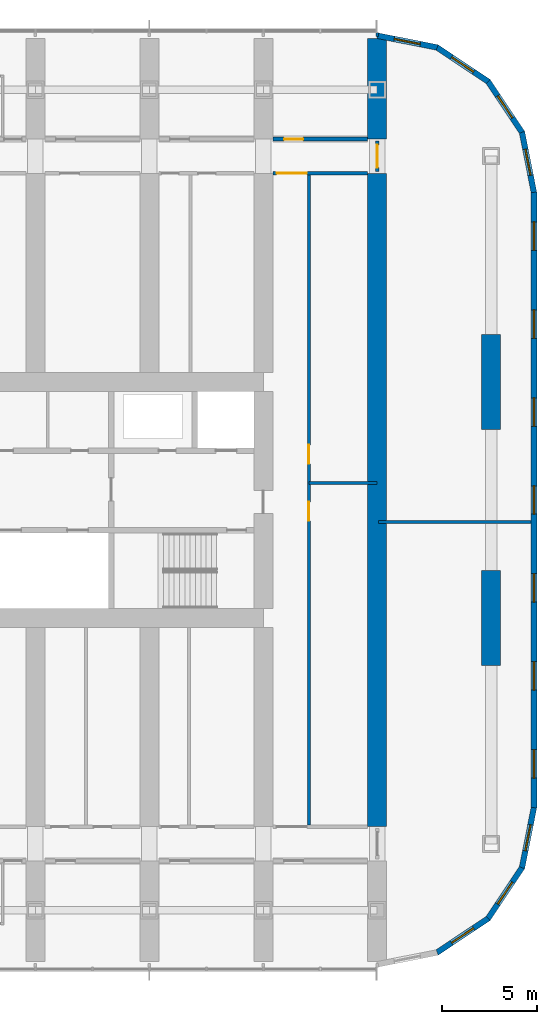
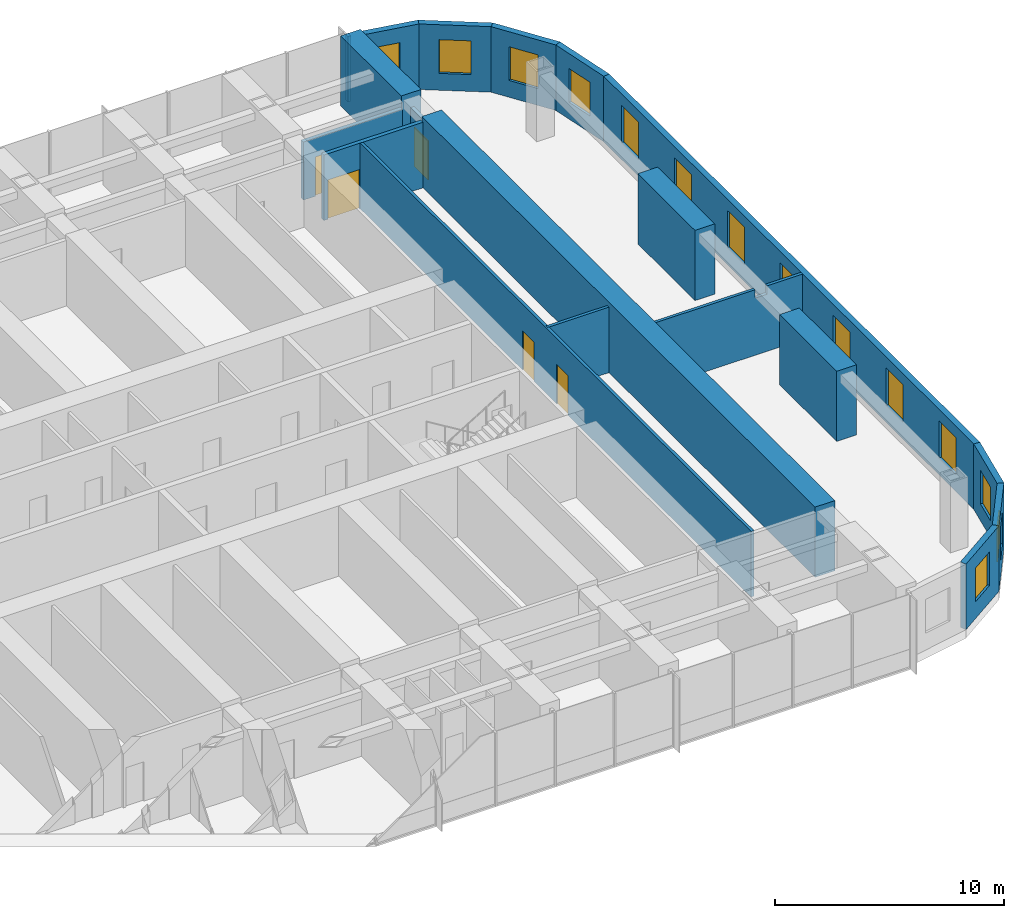
# One storey, part 19 of 26: 19 walls, 14 windows, 5 doors, 19 openings.
"""IFC4 building model written with IfcOpenShell, lengths in metres."""

from ifc_helpers import new_model, si_unit, direction, frame, frame_2d, origin, place, context, subcontext, project, spatial, polyline, rectangle, outline, extrude, material, layer, layer_set, type_object, element, fill, save


model = new_model("IFC4")

# Units and contexts
model_context = context("Model", 3, precision=1e-05, world=origin(), true_north=direction((0.0, 1.0)))
body_context = subcontext(model_context, "Body", "Model", "MODEL_VIEW")
ifc_project = project(units=[si_unit("LENGTHUNIT", "METRE"), si_unit("AREAUNIT", "SQUARE_METRE"), si_unit("VOLUMEUNIT", "CUBIC_METRE"), si_unit("PLANEANGLEUNIT", "RADIAN"), si_unit("MASSUNIT", "GRAM", prefix="KILO")], contexts=[model_context])

# Site, building, storey
site_placement = place(None, origin())
site = spatial("IfcSite", under=ifc_project, at=site_placement, CompositionType="ELEMENT")
building_placement = place(site_placement, origin())
building = spatial("IfcBuilding", under=site, at=building_placement, Name="Orbita Commons", CompositionType="ELEMENT")
storey_placement = place(building_placement, frame((0.0, 0.0, 53.949951171875)))
storey = spatial("IfcBuildingStorey", under=building, at=storey_placement, Name="L13", CompositionType="ELEMENT", Elevation=53.949951171875)

# Wall, opening, door
ifc_material_1 = material(Name="Concrete blockwork", Category="masonry")
ifc_layer_1 = layer(ifc_material_1, 0.199951171875)
ifc_layer_set_1 = layer_set([ifc_layer_1], Name="Concrete blockwork")
wall_type_1 = type_object("IfcWallType", Name="Corridor wall 200 blockwork", PredefinedType="SOLIDWALL", material=ifc_layer_set_1)
wall_1_placement = place(storey_placement, frame((66.5, 51.0, 0.0), z_axis=(0.0, 0.0, 1.0), x_axis=(1.0, 0.0, 0.0)))
wall_1 = element("IfcWall", 1, at=wall_1_placement, inside=storey, type_object=wall_type_1, Name="Corridor wall 200 blockwork L13", PredefinedType="SOLIDWALL", context=body_context, shape_type="SweptSolid", body=[
    extrude(outline(polyline([(0.0, 0.0), (5.0, 0.0), (5.0, 3.10009765625), (0.0, 3.10009765625), (0.0, 0.0)])), frame((0.0, 0.10009765625, 0.0), z_axis=(0.0, -1.0, 0.0), x_axis=(1.0, 0.0, 0.0)), (0.0, 0.0, 1.0), 0.199951171875),
])
opening_1_placement = place(wall_1_placement, frame((0.60009765625, 0.0, 0.0)))
opening_1 = element("IfcOpeningElement", 2, at=opening_1_placement, cuts=wall_1, Name="Opening D06", PredefinedType="OPENING", context=body_context, shape_type="SweptSolid", body=[
    extrude(rectangle(XDim=1.0, YDim=2.10009765625, at=frame_2d((0.5, 1.050048828125))), frame((0.0, 0.10986328125, 0.0), z_axis=(0.0, -1.0, 0.0), x_axis=(1.0, 0.0, 0.0)), (0.0, 0.0, 1.0), 0.219970703125),
])
ifc_material_2 = material(Name="Steel-faced fire door leaf", Category="steel")
door_type_1 = type_object("IfcDoorType", Name="Corridor door 20 min 1000x2100", OperationType="SINGLE_SWING_LEFT", PredefinedType="DOOR", material=ifc_material_2)
door_1_placement = place(opening_1_placement, origin())
door_1 = element("IfcDoor", 3, at=door_1_placement, inside=storey, type_object=door_type_1, Name="House common room L13-N18 door", OperationType="SINGLE_SWING_LEFT", OverallHeight=2.10009765625, OverallWidth=1.0, PredefinedType="DOOR", context=body_context, shape_type="SweptSolid", body=[
    extrude(rectangle(XDim=1.0, YDim=2.10009765625, at=frame_2d((0.5, 1.050048828125))), frame((0.0, 0.02490234375, 0.0), z_axis=(0.0, -1.0, 0.0), x_axis=(1.0, 0.0, 0.0)), (0.0, 0.0, 1.0), 0.050048828125),
])
fill(opening_1, door_1)

wall_2_placement = place(storey_placement, frame((72.0, 49.300048828125, 0.0), z_axis=(0.0, 0.0, 1.0), x_axis=(0.0, 1.0, 0.0)))
wall_2 = element("IfcWall", 4, at=wall_2_placement, inside=storey, type_object=wall_type_1, Name="Corridor wall 200 blockwork L13", PredefinedType="SOLIDWALL", context=body_context, shape_type="SweptSolid", body=[
    extrude(outline(polyline([(0.0, 0.0), (1.599853515625, 0.0), (1.60009765625, 3.050048828125), (0.0, 3.050048828125), (0.0, 0.0)])), frame((0.0, 0.10009765625, 0.0), z_axis=(0.0, -1.0, 0.0), x_axis=(1.0, 0.0, 0.0)), (0.0, 0.0, 1.0), 0.199951171875),
])
opening_2_placement = place(wall_2_placement, frame((0.199951171875, 0.0, 0.0)))
opening_2 = element("IfcOpeningElement", 5, at=opening_2_placement, cuts=wall_2, Name="Opening D12", PredefinedType="OPENING", context=body_context, shape_type="SweptSolid", body=[
    extrude(rectangle(XDim=1.199951171875, YDim=2.10009765625, at=frame_2d((0.60009765625, 1.050048828125))), frame((0.0, 0.10986328125, 0.0), z_axis=(0.0, -1.0, 0.0), x_axis=(1.0, 0.0, 0.0)), (0.0, 0.0, 1.0), 0.219970703125),
])
ifc_material_3 = material(Name="Steel-faced fire door leaf", Category="steel")
door_type_2 = type_object("IfcDoorType", Name="Double corridor door 20 min 1200x2100", OperationType="DOUBLE_DOOR_SINGLE_SWING", PredefinedType="DOOR", material=ifc_material_3)
door_2_placement = place(opening_2_placement, origin())
door_2 = element("IfcDoor", 6, at=door_2_placement, inside=storey, type_object=door_type_2, Name="Lounge doors", OperationType="DOUBLE_DOOR_SINGLE_SWING", OverallHeight=2.10009765625, OverallWidth=1.199951171875, PredefinedType="DOOR", context=body_context, shape_type="SweptSolid", body=[
    extrude(rectangle(XDim=1.199951171875, YDim=2.10009765625, at=frame_2d((0.60009765625, 1.050048828125))), frame((0.0, 0.02490234375, 0.0), z_axis=(0.0, -1.0, 0.0), x_axis=(1.0, 0.0, 0.0)), (0.0, 0.0, 1.0), 0.050048828125),
])
fill(opening_2, door_2)

ifc_material_4 = material(Name="Hollow concrete block 200", Category="concrete")
ifc_layer_2 = layer(ifc_material_4, 0.199951171875)
ifc_layer_set_2 = layer_set([ifc_layer_2], Name="Hollow concrete block 200")
wall_type_2 = type_object("IfcWallType", Name="Corridor wall 200 hollow concrete block", PredefinedType="SOLIDWALL", material=ifc_layer_set_2)
wall_3_placement = place(storey_placement, frame((66.5, 49.199951171875, 0.0), z_axis=(0.0, 0.0, 1.0), x_axis=(1.0, 0.0, 0.0)))
wall_3 = element("IfcWall", 7, at=wall_3_placement, inside=storey, type_object=wall_type_2, Name="Corridor wall 200 hollow concrete block L13", PredefinedType="SOLIDWALL", context=body_context, shape_type="SweptSolid", body=[
    extrude(rectangle(XDim=5.0, YDim=0.199951171875, at=frame_2d((2.5, 0.0))), origin(), (0.0, 0.0, 1.0), 3.5),
])
opening_3_placement = place(wall_3_placement, frame((0.199951171875, 0.0, 0.0)))
opening_3 = element("IfcOpeningElement", 8, at=opening_3_placement, cuts=wall_3, Name="Opening D10", PredefinedType="OPENING", context=body_context, shape_type="SweptSolid", body=[
    extrude(rectangle(XDim=1.60009765625, YDim=2.10009765625, at=frame_2d((0.800048828125, 1.050048828125))), frame((0.0, 0.10986328125, 0.0), z_axis=(0.0, -1.0, 0.0), x_axis=(1.0, 0.0, 0.0)), (0.0, 0.0, 1.0), 0.219970703125),
])
ifc_material_5 = material(Name="Steel-faced fire door leaf", Category="steel")
door_type_3 = type_object("IfcDoorType", Name="Double corridor door 20 min 1600x2100", OperationType="DOUBLE_DOOR_SINGLE_SWING", PredefinedType="DOOR", material=ifc_material_5)
door_3_placement = place(opening_3_placement, origin())
door_3 = element("IfcDoor", 9, at=door_3_placement, inside=storey, type_object=door_type_3, Name="Cross corridor doors", OperationType="DOUBLE_DOOR_SINGLE_SWING", OverallHeight=2.10009765625, OverallWidth=1.60009765625, PredefinedType="DOOR", context=body_context, shape_type="SweptSolid", body=[
    extrude(rectangle(XDim=1.60009765625, YDim=2.10009765625, at=frame_2d((0.800048828125, 1.050048828125))), frame((0.0, 0.02490234375, 0.0), z_axis=(0.0, -1.0, 0.0), x_axis=(1.0, 0.0, 0.0)), (0.0, 0.0, 1.0), 0.050048828125),
])
fill(opening_3, door_3)

# Walls
ifc_material_6 = material(Name="Concrete C50/60", Category="concrete")
ifc_layer_3 = layer(ifc_material_6, 1.0)
ifc_layer_set_3 = layer_set([ifc_layer_3], Name="Concrete C50/60")
wall_type_3 = type_object("IfcWallType", Name="Cross wall 1000 C50/60", PredefinedType="SHEAR", material=ifc_layer_set_3)
wall_4_placement = place(storey_placement, frame((72.0, 51.0, 0.0), z_axis=(0.0, 0.0, 1.0), x_axis=(0.0, 1.0, 0.0)))
element("IfcWall", 10, at=wall_4_placement, inside=storey, type_object=wall_type_3, Name="Cross wall 13 north outer L13", PredefinedType="SHEAR", context=body_context, shape_type="SweptSolid", body=[
    extrude(rectangle(XDim=5.300048828125, YDim=1.0, at=frame_2d((2.64990234375, 0.0))), origin(), (0.0, 0.0, 1.0), 3.75),
])
wall_5_placement = place(storey_placement, frame((72.0, 14.800048828125, 0.0), z_axis=(0.0, 0.0, 1.0), x_axis=(0.0, 1.0, 0.0)))
element("IfcWall", 11, at=wall_5_placement, inside=storey, type_object=wall_type_3, Name="Cross wall 13 inner L13", PredefinedType="SHEAR", context=body_context, shape_type="SweptSolid", body=[
    extrude(rectangle(XDim=34.39990234375, YDim=1.0, at=frame_2d((17.199951171875, 0.0))), origin(), (0.0, 0.0, 1.0), 3.75),
])
ifc_material_7 = material(Name="Concrete C50/60", Category="concrete")
ifc_layer_4 = layer(ifc_material_7, 1.0)
ifc_layer_set_4 = layer_set([ifc_layer_4], Name="Concrete C50/60")
wall_type_4 = type_object("IfcWallType", Name="End pier 1000x5000 C50/60", PredefinedType="SHEAR", material=ifc_layer_set_4)
for number, where, z_axis, x_axis, name in (
    (12, (78.0, 23.300048828125, 0.0), (0.0, 0.0, 1.0), (0.0, 1.0, 0.0), "End pier 14/C L13"),
    (13, (78.0, 35.699951171875, 0.0), (0.0, 0.0, 1.0), (0.0, 1.0, 0.0), "End pier 14/D L13"),
):
    element("IfcWall", number, at=place(storey_placement, frame(where, z_axis=z_axis, x_axis=x_axis)), inside=storey, type_object=wall_type_4, Name=name, PredefinedType="SHEAR", context=body_context, shape_type="SweptSolid", body=[
        extrude(rectangle(XDim=5.0, YDim=1.0, at=frame_2d((2.5, 0.0))), origin(), (0.0, 0.0, 1.0), 3.75),
    ])

# Wall, openings, doors
ifc_material_8 = material(Name="Gypsum plasterboard on steel studs", Category="steel")
ifc_layer_5 = layer(ifc_material_8, 0.14990234375)
ifc_layer_set_5 = layer_set([ifc_layer_5], Name="Gypsum plasterboard on steel studs")
wall_type_5 = type_object("IfcWallType", Name="Partition 150 plasterboard", PredefinedType="PARTITIONING", material=ifc_layer_set_5)
wall_6_placement = place(storey_placement, frame((68.39990234375, 14.89990234375, 0.0), z_axis=(0.0, 0.0, 1.0), x_axis=(0.0, 1.0, 0.0)))
wall_6 = element("IfcWall", 14, at=wall_6_placement, inside=storey, type_object=wall_type_5, Name="Partition 150 plasterboard L13", PredefinedType="PARTITIONING", context=body_context, shape_type="SweptSolid", body=[
    extrude(rectangle(XDim=34.2001953125, YDim=0.14990234375, at=frame_2d((17.10009765625, 0.0))), origin(), (0.0, 0.0, 1.0), 3.5),
])
opening_4_placement = place(wall_6_placement, frame((16.0, 0.0, 0.0)))
opening_4 = element("IfcOpeningElement", 15, at=opening_4_placement, cuts=wall_6, Name="Opening D06", PredefinedType="OPENING", context=body_context, shape_type="SweptSolid", body=[
    extrude(rectangle(XDim=1.0, YDim=2.10009765625, at=frame_2d((0.5, 1.050048828125))), frame((0.0, 0.0849609375, 0.0), z_axis=(0.0, -1.0, 0.0), x_axis=(1.0, 0.0, 0.0)), (0.0, 0.0, 1.0), 0.169921875),
])
opening_5_placement = place(wall_6_placement, frame((19.0, 0.0, 0.0)))
opening_5 = element("IfcOpeningElement", 16, at=opening_5_placement, cuts=wall_6, Name="Opening D06", PredefinedType="OPENING", context=body_context, shape_type="SweptSolid", body=[
    extrude(rectangle(XDim=1.0, YDim=2.10009765625, at=frame_2d((0.5, 1.050048828125))), frame((0.0, 0.0849609375, 0.0), z_axis=(0.0, -1.0, 0.0), x_axis=(1.0, 0.0, 0.0)), (0.0, 0.0, 1.0), 0.169921875),
])
door_4_placement = place(opening_4_placement, origin())
door_4 = element("IfcDoor", 17, at=door_4_placement, inside=storey, type_object=door_type_1, Name="Interview room door", OperationType="SINGLE_SWING_LEFT", OverallHeight=2.10009765625, OverallWidth=1.0, PredefinedType="DOOR", context=body_context, shape_type="SweptSolid", body=[
    extrude(rectangle(XDim=1.0, YDim=2.10009765625, at=frame_2d((0.5, 1.050048828125))), frame((0.0, 0.02490234375, 0.0), z_axis=(0.0, -1.0, 0.0), x_axis=(1.0, 0.0, 0.0)), (0.0, 0.0, 1.0), 0.050048828125),
])
fill(opening_4, door_4)
door_5_placement = place(opening_5_placement, origin())
door_5 = element("IfcDoor", 18, at=door_5_placement, inside=storey, type_object=door_type_1, Name="Residents' storage room door", OperationType="SINGLE_SWING_LEFT", OverallHeight=2.10009765625, OverallWidth=1.0, PredefinedType="DOOR", context=body_context, shape_type="SweptSolid", body=[
    extrude(rectangle(XDim=1.0, YDim=2.10009765625, at=frame_2d((0.5, 1.050048828125))), frame((0.0, 0.02490234375, 0.0), z_axis=(0.0, -1.0, 0.0), x_axis=(1.0, 0.0, 0.0)), (0.0, 0.0, 1.0), 0.050048828125),
])
fill(opening_5, door_5)

# Walls
wall_7_placement = place(storey_placement, frame((68.39990234375, 32.89990234375, 0.0), z_axis=(0.0, 0.0, 1.0), x_axis=(1.0, 0.0, 0.0)))
element("IfcWall", 19, at=wall_7_placement, inside=storey, type_object=wall_type_5, Name="Partition 150 plasterboard L13", PredefinedType="PARTITIONING", context=body_context, shape_type="SweptSolid", body=[
    extrude(rectangle(XDim=3.60009765625, YDim=0.14990234375, at=frame_2d((1.800048828125, 0.0))), origin(), (0.0, 0.0, 1.0), 3.5),
])
wall_8_placement = place(storey_placement, frame((72.074951171875, 30.85009765625, 0.0), z_axis=(0.0, 0.0, 1.0), x_axis=(1.0, 0.0, 0.0)))
element("IfcWall", 20, at=wall_8_placement, inside=storey, type_object=wall_type_5, Name="Partition 150 plasterboard L13", PredefinedType="PARTITIONING", context=body_context, shape_type="SweptSolid", body=[
    extrude(outline(polyline([(0.0, 0.0), (8.02001953125, 0.0), (8.02001953125, 3.5), (6.22705078125, 3.5), (6.22509765625, 3.050048828125), (5.626953125, 3.050048828125), (5.625, 3.5), (0.0, 3.5), (0.0, 0.0)])), frame((0.0, 0.074951171875, 0.0), z_axis=(0.0, -1.0, 0.0), x_axis=(1.0, 0.0, 0.0)), (0.0, 0.0, 1.0), 0.14990234375),
])
wall_9_placement = place(storey_placement, frame((72.0, 56.39990234375, 0.0), z_axis=(0.0, 0.0, 1.0), x_axis=(0.0, 1.0, 0.0)))
element("IfcWall", 21, at=wall_9_placement, inside=storey, type_object=wall_type_5, Name="Partition 150 plasterboard L13", PredefinedType="PARTITIONING", context=body_context, shape_type="SweptSolid", body=[
    extrude(rectangle(XDim=0.22021484375, YDim=0.14990234375, at=frame_2d((0.110107421875, 0.0))), origin(), (0.0, 0.0, 1.0), 3.5),
])

# Wall, openings, windows
ifc_material_9 = material(Name="Precast concrete C40/50, white board-marked finish", Category="concrete")
ifc_layer_6 = layer(ifc_material_9, 0.300048828125)
ifc_layer_set_6 = layer_set([ifc_layer_6], Name="Precast concrete C40/50, white board-marked finish")
wall_type_6 = type_object("IfcWallType", Name="Precast concrete end shield 300", PredefinedType="SOLIDWALL", material=ifc_layer_set_6)
wall_10_placement = place(storey_placement, frame((80.25, 15.800048828125, 0.0), z_axis=(0.0, 0.0, 1.0), x_axis=(0.0, 1.0, 0.0)))
wall_10 = element("IfcWall", 22, at=wall_10_placement, inside=storey, type_object=wall_type_6, Name="End shield E L13", PredefinedType="SOLIDWALL", context=body_context, shape_type="SweptSolid", body=[
    extrude(outline(polyline([(-0.014892578125, -0.14990234375), (32.414794921875, -0.14990234375), (32.385009765625, 0.14990234375), (0.014892578125, 0.14990234375), (-0.014892578125, -0.14990234375)])), origin(), (0.0, 0.0, 1.0), 3.5),
])
opening_6_placement = place(wall_10_placement, frame((1.564208984375, 0.0, 0.89990234375)))
opening_6 = element("IfcOpeningElement", 23, at=opening_6_placement, cuts=wall_10, Name="Opening W01", PredefinedType="OPENING", context=body_context, shape_type="SweptSolid", body=[
    extrude(rectangle(XDim=1.5, YDim=2.0, at=frame_2d((0.75, 1.0))), frame((0.0, 0.159912109375, 0.0), z_axis=(0.0, -1.0, 0.0), x_axis=(1.0, 0.0, 0.0)), (0.0, 0.0, 1.0), 0.320068359375),
])
opening_7_placement = place(wall_10_placement, frame((6.19287109375, 0.0, 0.89990234375)))
opening_7 = element("IfcOpeningElement", 24, at=opening_7_placement, cuts=wall_10, Name="Opening W01", PredefinedType="OPENING", context=body_context, shape_type="SweptSolid", body=[
    extrude(rectangle(XDim=1.5, YDim=2.0, at=frame_2d((0.75, 1.0))), frame((0.0, 0.159912109375, 0.0), z_axis=(0.0, -1.0, 0.0), x_axis=(1.0, 0.0, 0.0)), (0.0, 0.0, 1.0), 0.320068359375),
])
opening_8_placement = place(wall_10_placement, frame((10.821533203125, 0.0, 0.89990234375)))
opening_8 = element("IfcOpeningElement", 25, at=opening_8_placement, cuts=wall_10, Name="Opening W01", PredefinedType="OPENING", context=body_context, shape_type="SweptSolid", body=[
    extrude(rectangle(XDim=1.5, YDim=2.0, at=frame_2d((0.75, 1.0))), frame((0.0, 0.159912109375, 0.0), z_axis=(0.0, -1.0, 0.0), x_axis=(1.0, 0.0, 0.0)), (0.0, 0.0, 1.0), 0.320068359375),
])
opening_9_placement = place(wall_10_placement, frame((15.449951171875, 0.0, 0.89990234375)))
opening_9 = element("IfcOpeningElement", 26, at=opening_9_placement, cuts=wall_10, Name="Opening W01", PredefinedType="OPENING", context=body_context, shape_type="SweptSolid", body=[
    extrude(rectangle(XDim=1.5, YDim=2.0, at=frame_2d((0.75, 1.0))), frame((0.0, 0.159912109375, 0.0), z_axis=(0.0, -1.0, 0.0), x_axis=(1.0, 0.0, 0.0)), (0.0, 0.0, 1.0), 0.320068359375),
])
opening_10_placement = place(wall_10_placement, frame((20.07861328125, 0.0, 0.89990234375)))
opening_10 = element("IfcOpeningElement", 27, at=opening_10_placement, cuts=wall_10, Name="Opening W01", PredefinedType="OPENING", context=body_context, shape_type="SweptSolid", body=[
    extrude(rectangle(XDim=1.5, YDim=2.0, at=frame_2d((0.75, 1.0))), frame((0.0, 0.159912109375, 0.0), z_axis=(0.0, -1.0, 0.0), x_axis=(1.0, 0.0, 0.0)), (0.0, 0.0, 1.0), 0.320068359375),
])
opening_11_placement = place(wall_10_placement, frame((24.70703125, 0.0, 0.89990234375)))
opening_11 = element("IfcOpeningElement", 28, at=opening_11_placement, cuts=wall_10, Name="Opening W01", PredefinedType="OPENING", context=body_context, shape_type="SweptSolid", body=[
    extrude(rectangle(XDim=1.5, YDim=2.0, at=frame_2d((0.75, 1.0))), frame((0.0, 0.159912109375, 0.0), z_axis=(0.0, -1.0, 0.0), x_axis=(1.0, 0.0, 0.0)), (0.0, 0.0, 1.0), 0.320068359375),
])
opening_12_placement = place(wall_10_placement, frame((29.335693359375, 0.0, 0.89990234375)))
opening_12 = element("IfcOpeningElement", 29, at=opening_12_placement, cuts=wall_10, Name="Opening W01", PredefinedType="OPENING", context=body_context, shape_type="SweptSolid", body=[
    extrude(rectangle(XDim=1.5, YDim=2.0, at=frame_2d((0.75, 1.0))), frame((0.0, 0.159912109375, 0.0), z_axis=(0.0, -1.0, 0.0), x_axis=(1.0, 0.0, 0.0)), (0.0, 0.0, 1.0), 0.320068359375),
])
ifc_material_10 = material(Name="Aluminium frame, clear double glazing", Category="aluminium")
window_type_1 = type_object("IfcWindowType", Name="Deep-set window 1500x2000", PartitioningType="SINGLE_PANEL", PredefinedType="WINDOW", material=ifc_material_10)
window_1_placement = place(opening_6_placement, origin())
window_1 = element("IfcWindow", 30, at=window_1_placement, inside=storey, type_object=window_type_1, Name="Window L13-E 1", OverallHeight=2.0, OverallWidth=1.5, PartitioningType="SINGLE_PANEL", PredefinedType="WINDOW", context=body_context, shape_type="SweptSolid", body=[
    extrude(rectangle(XDim=1.5, YDim=2.0, at=frame_2d((0.75, 1.0))), frame((0.0, 0.030029296875, 0.0), z_axis=(0.0, -1.0, 0.0), x_axis=(1.0, 0.0, 0.0)), (0.0, 0.0, 1.0), 0.06005859375),
])
fill(opening_6, window_1)
window_2_placement = place(opening_7_placement, origin())
window_2 = element("IfcWindow", 31, at=window_2_placement, inside=storey, type_object=window_type_1, Name="Window L13-E 2", OverallHeight=2.0, OverallWidth=1.5, PartitioningType="SINGLE_PANEL", PredefinedType="WINDOW", context=body_context, shape_type="SweptSolid", body=[
    extrude(rectangle(XDim=1.5, YDim=2.0, at=frame_2d((0.75, 1.0))), frame((0.0, 0.030029296875, 0.0), z_axis=(0.0, -1.0, 0.0), x_axis=(1.0, 0.0, 0.0)), (0.0, 0.0, 1.0), 0.06005859375),
])
fill(opening_7, window_2)
window_3_placement = place(opening_8_placement, origin())
window_3 = element("IfcWindow", 32, at=window_3_placement, inside=storey, type_object=window_type_1, Name="Window L13-E 3", OverallHeight=2.0, OverallWidth=1.5, PartitioningType="SINGLE_PANEL", PredefinedType="WINDOW", context=body_context, shape_type="SweptSolid", body=[
    extrude(rectangle(XDim=1.5, YDim=2.0, at=frame_2d((0.75, 1.0))), frame((0.0, 0.030029296875, 0.0), z_axis=(0.0, -1.0, 0.0), x_axis=(1.0, 0.0, 0.0)), (0.0, 0.0, 1.0), 0.06005859375),
])
fill(opening_8, window_3)
window_4_placement = place(opening_9_placement, origin())
window_4 = element("IfcWindow", 33, at=window_4_placement, inside=storey, type_object=window_type_1, Name="Window L13-E 4", OverallHeight=2.0, OverallWidth=1.5, PartitioningType="SINGLE_PANEL", PredefinedType="WINDOW", context=body_context, shape_type="SweptSolid", body=[
    extrude(rectangle(XDim=1.5, YDim=2.0, at=frame_2d((0.75, 1.0))), frame((0.0, 0.030029296875, 0.0), z_axis=(0.0, -1.0, 0.0), x_axis=(1.0, 0.0, 0.0)), (0.0, 0.0, 1.0), 0.06005859375),
])
fill(opening_9, window_4)
window_5_placement = place(opening_10_placement, origin())
window_5 = element("IfcWindow", 34, at=window_5_placement, inside=storey, type_object=window_type_1, Name="Window L13-E 5", OverallHeight=2.0, OverallWidth=1.5, PartitioningType="SINGLE_PANEL", PredefinedType="WINDOW", context=body_context, shape_type="SweptSolid", body=[
    extrude(rectangle(XDim=1.5, YDim=2.0, at=frame_2d((0.75, 1.0))), frame((0.0, 0.030029296875, 0.0), z_axis=(0.0, -1.0, 0.0), x_axis=(1.0, 0.0, 0.0)), (0.0, 0.0, 1.0), 0.06005859375),
])
fill(opening_10, window_5)
window_6_placement = place(opening_11_placement, origin())
window_6 = element("IfcWindow", 35, at=window_6_placement, inside=storey, type_object=window_type_1, Name="Window L13-E 6", OverallHeight=2.0, OverallWidth=1.5, PartitioningType="SINGLE_PANEL", PredefinedType="WINDOW", context=body_context, shape_type="SweptSolid", body=[
    extrude(rectangle(XDim=1.5, YDim=2.0, at=frame_2d((0.75, 1.0))), frame((0.0, 0.030029296875, 0.0), z_axis=(0.0, -1.0, 0.0), x_axis=(1.0, 0.0, 0.0)), (0.0, 0.0, 1.0), 0.06005859375),
])
fill(opening_11, window_6)
window_7_placement = place(opening_12_placement, origin())
window_7 = element("IfcWindow", 36, at=window_7_placement, inside=storey, type_object=window_type_1, Name="Window L13-E 7", OverallHeight=2.0, OverallWidth=1.5, PartitioningType="SINGLE_PANEL", PredefinedType="WINDOW", context=body_context, shape_type="SweptSolid", body=[
    extrude(rectangle(XDim=1.5, YDim=2.0, at=frame_2d((0.75, 1.0))), frame((0.0, 0.030029296875, 0.0), z_axis=(0.0, -1.0, 0.0), x_axis=(1.0, 0.0, 0.0)), (0.0, 0.0, 1.0), 0.06005859375),
])
fill(opening_12, window_7)

# Wall, opening, window
wall_11_placement = place(storey_placement, frame((75.156982421875, 8.177978515625, 0.0), z_axis=(0.0, 0.0, 1.0), x_axis=(0.831478105043, 0.555557522525, 0.0)))
wall_11 = element("IfcWall", 37, at=wall_11_placement, inside=storey, type_object=wall_type_6, Name="End shield SE chord 2 L13", PredefinedType="SOLIDWALL", context=body_context, shape_type="SweptSolid", body=[
    extrude(outline(polyline([(-0.02978515625, -0.14990234375), (3.248779296875, -0.14990234375), (3.189208984375, 0.14990234375), (0.02978515625, 0.14990234375), (-0.02978515625, -0.14990234375)])), origin(), (0.0, 0.0, 1.0), 3.5),
])
opening_13_placement = place(wall_11_placement, frame((0.909423828125, 0.0, 0.89990234375)))
opening_13 = element("IfcOpeningElement", 38, at=opening_13_placement, cuts=wall_11, Name="Opening W02", PredefinedType="OPENING", context=body_context, shape_type="SweptSolid", body=[
    extrude(rectangle(XDim=1.39990234375, YDim=1.800048828125, at=frame_2d((0.699951171875, 0.89990234375))), frame((0.0, 0.159912109375, 0.0), z_axis=(0.0, -1.0, 0.0), x_axis=(1.0, 0.0, 0.0)), (0.0, 0.0, 1.0), 0.320068359375),
])
ifc_material_11 = material(Name="Aluminium frame, clear double glazing", Category="aluminium")
window_type_2 = type_object("IfcWindowType", Name="Deep-set window 1400x1800", PartitioningType="SINGLE_PANEL", PredefinedType="WINDOW", material=ifc_material_11)
window_8_placement = place(opening_13_placement, origin())
window_8 = element("IfcWindow", 39, at=window_8_placement, inside=storey, type_object=window_type_2, Name="Window L13-SE1", OverallHeight=1.800048828125, OverallWidth=1.39990234375, PartitioningType="SINGLE_PANEL", PredefinedType="WINDOW", context=body_context, shape_type="SweptSolid", body=[
    extrude(rectangle(XDim=1.39990234375, YDim=1.800048828125, at=frame_2d((0.699951171875, 0.89990234375))), frame((0.0, 0.030029296875, 0.0), z_axis=(0.0, -1.0, 0.0), x_axis=(1.0, 0.0, 0.0)), (0.0, 0.0, 1.0), 0.06005859375),
])
fill(opening_13, window_8)

wall_12_placement = place(storey_placement, frame((77.83349609375, 9.96630859375, 0.0), z_axis=(0.0, 0.0, 1.0), x_axis=(0.555609954424, 0.831443069936, 0.0)))
wall_12 = element("IfcWall", 40, at=wall_12_placement, inside=storey, type_object=wall_type_6, Name="End shield SE chord 3 L13", PredefinedType="SOLIDWALL", context=body_context, shape_type="SweptSolid", body=[
    extrude(outline(polyline([(-0.02978515625, -0.14990234375), (3.2490234375, -0.14990234375), (3.189453125, 0.14990234375), (0.02978515625, 0.14990234375), (-0.02978515625, -0.14990234375)])), origin(), (0.0, 0.0, 1.0), 3.5),
])
opening_14_placement = place(wall_12_placement, frame((0.909423828125, 0.0, 0.89990234375)))
opening_14 = element("IfcOpeningElement", 41, at=opening_14_placement, cuts=wall_12, Name="Opening W02", PredefinedType="OPENING", context=body_context, shape_type="SweptSolid", body=[
    extrude(rectangle(XDim=1.39990234375, YDim=1.800048828125, at=frame_2d((0.699951171875, 0.89990234375))), frame((0.0, 0.159912109375, 0.0), z_axis=(0.0, -1.0, 0.0), x_axis=(1.0, 0.0, 0.0)), (0.0, 0.0, 1.0), 0.320068359375),
])
window_9_placement = place(opening_14_placement, origin())
window_9 = element("IfcWindow", 42, at=window_9_placement, inside=storey, type_object=window_type_2, Name="Window L13-SE2", OverallHeight=1.800048828125, OverallWidth=1.39990234375, PartitioningType="SINGLE_PANEL", PredefinedType="WINDOW", context=body_context, shape_type="SweptSolid", body=[
    extrude(rectangle(XDim=1.39990234375, YDim=1.800048828125, at=frame_2d((0.699951171875, 0.89990234375))), frame((0.0, 0.030029296875, 0.0), z_axis=(0.0, -1.0, 0.0), x_axis=(1.0, 0.0, 0.0)), (0.0, 0.0, 1.0), 0.06005859375),
])
fill(opening_14, window_9)

wall_13_placement = place(storey_placement, frame((79.6220703125, 12.642822265625, 0.0), z_axis=(0.0, 0.0, 1.0), x_axis=(0.195065901187, 0.980790137692, 0.0)))
wall_13 = element("IfcWall", 43, at=wall_13_placement, inside=storey, type_object=wall_type_6, Name="End shield SE chord 4 L13", PredefinedType="SOLIDWALL", context=body_context, shape_type="SweptSolid", body=[
    extrude(outline(polyline([(-0.02978515625, -0.14990234375), (3.23388671875, -0.14990234375), (3.2041015625, 0.14990234375), (0.02978515625, 0.14990234375), (-0.02978515625, -0.14990234375)])), origin(), (0.0, 0.0, 1.0), 3.5),
])
opening_15_placement = place(wall_13_placement, frame((0.909423828125, 0.0, 0.89990234375)))
opening_15 = element("IfcOpeningElement", 44, at=opening_15_placement, cuts=wall_13, Name="Opening W02", PredefinedType="OPENING", context=body_context, shape_type="SweptSolid", body=[
    extrude(rectangle(XDim=1.39990234375, YDim=1.800048828125, at=frame_2d((0.699951171875, 0.89990234375))), frame((0.0, 0.159912109375, 0.0), z_axis=(0.0, -1.0, 0.0), x_axis=(1.0, 0.0, 0.0)), (0.0, 0.0, 1.0), 0.320068359375),
])
window_10_placement = place(opening_15_placement, origin())
window_10 = element("IfcWindow", 45, at=window_10_placement, inside=storey, type_object=window_type_2, Name="Window L13-SE3", OverallHeight=1.800048828125, OverallWidth=1.39990234375, PartitioningType="SINGLE_PANEL", PredefinedType="WINDOW", context=body_context, shape_type="SweptSolid", body=[
    extrude(rectangle(XDim=1.39990234375, YDim=1.800048828125, at=frame_2d((0.699951171875, 0.89990234375))), frame((0.0, 0.030029296875, 0.0), z_axis=(0.0, -1.0, 0.0), x_axis=(1.0, 0.0, 0.0)), (0.0, 0.0, 1.0), 0.06005859375),
])
fill(opening_15, window_10)

wall_14_placement = place(storey_placement, frame((80.25, 48.199951171875, 0.0), z_axis=(0.0, 0.0, 1.0), x_axis=(-0.195065901187, 0.980790137692, 0.0)))
wall_14 = element("IfcWall", 46, at=wall_14_placement, inside=storey, type_object=wall_type_6, Name="End shield NE chord 1 L13", PredefinedType="SOLIDWALL", context=body_context, shape_type="SweptSolid", body=[
    extrude(outline(polyline([(-0.014892578125, -0.14990234375), (3.248779296875, -0.14990234375), (3.189208984375, 0.14990234375), (0.014892578125, 0.14990234375), (-0.014892578125, -0.14990234375)])), origin(), (0.0, 0.0, 1.0), 3.5),
])
opening_16_placement = place(wall_14_placement, frame((0.909423828125, 0.0, 0.89990234375)))
opening_16 = element("IfcOpeningElement", 47, at=opening_16_placement, cuts=wall_14, Name="Opening W02", PredefinedType="OPENING", context=body_context, shape_type="SweptSolid", body=[
    extrude(rectangle(XDim=1.39990234375, YDim=1.800048828125, at=frame_2d((0.699951171875, 0.89990234375))), frame((0.0, 0.159912109375, 0.0), z_axis=(0.0, -1.0, 0.0), x_axis=(1.0, 0.0, 0.0)), (0.0, 0.0, 1.0), 0.320068359375),
])
window_11_placement = place(opening_16_placement, origin())
window_11 = element("IfcWindow", 48, at=window_11_placement, inside=storey, type_object=window_type_2, Name="Window L13-NE0", OverallHeight=1.800048828125, OverallWidth=1.39990234375, PartitioningType="SINGLE_PANEL", PredefinedType="WINDOW", context=body_context, shape_type="SweptSolid", body=[
    extrude(rectangle(XDim=1.39990234375, YDim=1.800048828125, at=frame_2d((0.699951171875, 0.89990234375))), frame((0.0, 0.030029296875, 0.0), z_axis=(0.0, -1.0, 0.0), x_axis=(1.0, 0.0, 0.0)), (0.0, 0.0, 1.0), 0.06005859375),
])
fill(opening_16, window_11)

wall_15_placement = place(storey_placement, frame((79.6220703125, 51.357177734375, 0.0), z_axis=(0.0, 0.0, 1.0), x_axis=(-0.555609954424, 0.831443069936, 0.0)))
wall_15 = element("IfcWall", 49, at=wall_15_placement, inside=storey, type_object=wall_type_6, Name="End shield NE chord 2 L13", PredefinedType="SOLIDWALL", context=body_context, shape_type="SweptSolid", body=[
    extrude(outline(polyline([(-0.02978515625, -0.14990234375), (3.2490234375, -0.14990234375), (3.189453125, 0.14990234375), (0.02978515625, 0.14990234375), (-0.02978515625, -0.14990234375)])), origin(), (0.0, 0.0, 1.0), 3.5),
])
opening_17_placement = place(wall_15_placement, frame((0.909423828125, 0.0, 0.89990234375)))
opening_17 = element("IfcOpeningElement", 50, at=opening_17_placement, cuts=wall_15, Name="Opening W02", PredefinedType="OPENING", context=body_context, shape_type="SweptSolid", body=[
    extrude(rectangle(XDim=1.39990234375, YDim=1.800048828125, at=frame_2d((0.699951171875, 0.89990234375))), frame((0.0, 0.159912109375, 0.0), z_axis=(0.0, -1.0, 0.0), x_axis=(1.0, 0.0, 0.0)), (0.0, 0.0, 1.0), 0.320068359375),
])
window_12_placement = place(opening_17_placement, origin())
window_12 = element("IfcWindow", 51, at=window_12_placement, inside=storey, type_object=window_type_2, Name="Window L13-NE1", OverallHeight=1.800048828125, OverallWidth=1.39990234375, PartitioningType="SINGLE_PANEL", PredefinedType="WINDOW", context=body_context, shape_type="SweptSolid", body=[
    extrude(rectangle(XDim=1.39990234375, YDim=1.800048828125, at=frame_2d((0.699951171875, 0.89990234375))), frame((0.0, 0.030029296875, 0.0), z_axis=(0.0, -1.0, 0.0), x_axis=(1.0, 0.0, 0.0)), (0.0, 0.0, 1.0), 0.06005859375),
])
fill(opening_17, window_12)

wall_16_placement = place(storey_placement, frame((77.83349609375, 54.03369140625, 0.0), z_axis=(0.0, 0.0, 1.0), x_axis=(-0.831478105043, 0.555557522525, 0.0)))
wall_16 = element("IfcWall", 52, at=wall_16_placement, inside=storey, type_object=wall_type_6, Name="End shield NE chord 3 L13", PredefinedType="SOLIDWALL", context=body_context, shape_type="SweptSolid", body=[
    extrude(outline(polyline([(-0.02978515625, -0.14990234375), (3.248779296875, -0.14990234375), (3.189208984375, 0.14990234375), (0.02978515625, 0.14990234375), (-0.02978515625, -0.14990234375)])), origin(), (0.0, 0.0, 1.0), 3.5),
])
opening_18_placement = place(wall_16_placement, frame((0.909423828125, 0.0, 0.89990234375)))
opening_18 = element("IfcOpeningElement", 53, at=opening_18_placement, cuts=wall_16, Name="Opening W02", PredefinedType="OPENING", context=body_context, shape_type="SweptSolid", body=[
    extrude(rectangle(XDim=1.39990234375, YDim=1.800048828125, at=frame_2d((0.699951171875, 0.89990234375))), frame((0.0, 0.159912109375, 0.0), z_axis=(0.0, -1.0, 0.0), x_axis=(1.0, 0.0, 0.0)), (0.0, 0.0, 1.0), 0.320068359375),
])
window_13_placement = place(opening_18_placement, origin())
window_13 = element("IfcWindow", 54, at=window_13_placement, inside=storey, type_object=window_type_2, Name="Window L13-NE2", OverallHeight=1.800048828125, OverallWidth=1.39990234375, PartitioningType="SINGLE_PANEL", PredefinedType="WINDOW", context=body_context, shape_type="SweptSolid", body=[
    extrude(rectangle(XDim=1.39990234375, YDim=1.800048828125, at=frame_2d((0.699951171875, 0.89990234375))), frame((0.0, 0.030029296875, 0.0), z_axis=(0.0, -1.0, 0.0), x_axis=(1.0, 0.0, 0.0)), (0.0, 0.0, 1.0), 0.06005859375),
])
fill(opening_18, window_13)

wall_17_placement = place(storey_placement, frame((75.156982421875, 55.822021484375, 0.0), z_axis=(0.0, 0.0, 1.0), x_axis=(-0.980787251524, 0.195080412259, 0.0)))
wall_17 = element("IfcWall", 55, at=wall_17_placement, inside=storey, type_object=wall_type_6, Name="End shield NE chord 4 L13", PredefinedType="SOLIDWALL", context=body_context, shape_type="SweptSolid", body=[
    extrude(outline(polyline([(-0.02978515625, -0.14990234375), (3.24853515625, -0.14990234375), (3.18896484375, 0.14990234375), (0.02978515625, 0.14990234375), (-0.02978515625, -0.14990234375)])), origin(), (0.0, 0.0, 1.0), 3.5),
])
opening_19_placement = place(wall_17_placement, frame((0.909423828125, 0.0, 0.89990234375)))
opening_19 = element("IfcOpeningElement", 56, at=opening_19_placement, cuts=wall_17, Name="Opening W02", PredefinedType="OPENING", context=body_context, shape_type="SweptSolid", body=[
    extrude(rectangle(XDim=1.39990234375, YDim=1.800048828125, at=frame_2d((0.699951171875, 0.89990234375))), frame((0.0, 0.159912109375, 0.0), z_axis=(0.0, -1.0, 0.0), x_axis=(1.0, 0.0, 0.0)), (0.0, 0.0, 1.0), 0.320068359375),
])
window_14_placement = place(opening_19_placement, origin())
window_14 = element("IfcWindow", 57, at=window_14_placement, inside=storey, type_object=window_type_2, Name="Window L13-NE3", OverallHeight=1.800048828125, OverallWidth=1.39990234375, PartitioningType="SINGLE_PANEL", PredefinedType="WINDOW", context=body_context, shape_type="SweptSolid", body=[
    extrude(rectangle(XDim=1.39990234375, YDim=1.800048828125, at=frame_2d((0.699951171875, 0.89990234375))), frame((0.0, 0.030029296875, 0.0), z_axis=(0.0, -1.0, 0.0), x_axis=(1.0, 0.0, 0.0)), (0.0, 0.0, 1.0), 0.06005859375),
])
fill(opening_19, window_14)

save(model, "model.ifc")
